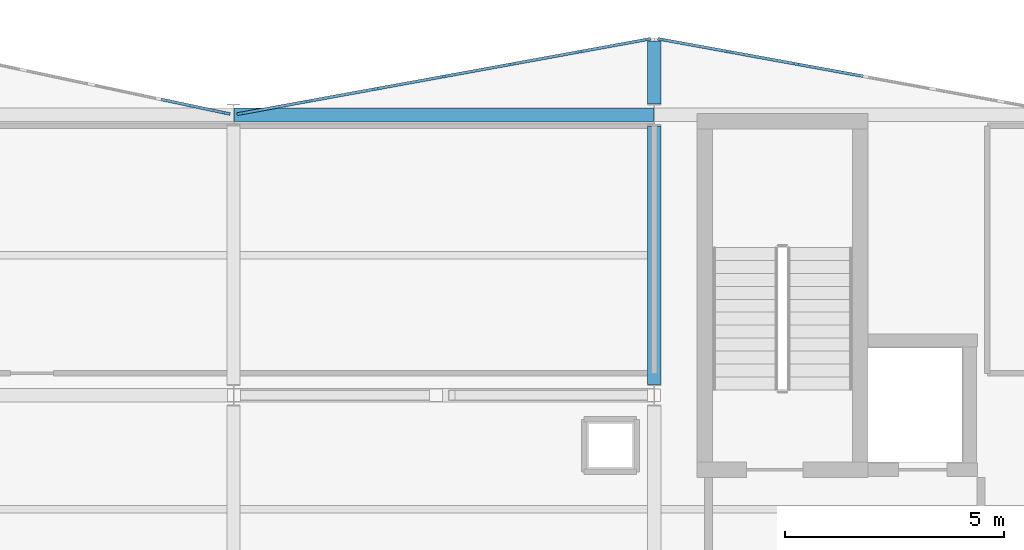
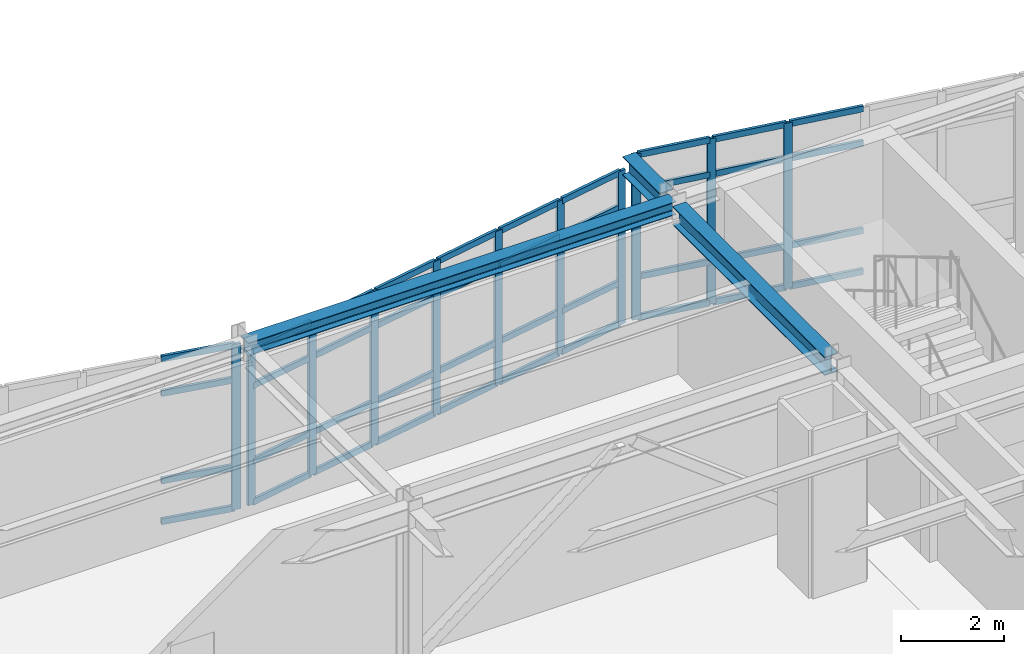
# One storey, part 38 of 88: 51 members, 3 beams, 3 elements without a shape of their own.
"""IFC4 building model written with IfcOpenShell, lengths in metres."""

from ifc_helpers import new_model, si_unit, direction, frame, origin, origin_2d, place, context, subcontext, project, spatial, rectangle, i_section, extrude, material, layer, layer_set, material_profile, profile_set, type_object, element, aggregate, save


model = new_model("IFC4")

# Units and contexts
model_context = context("Model", 3, precision=1e-05, world=origin(), true_north=direction((0.0, 1.0)))
body_context = subcontext(model_context, "Body", "Model", "MODEL_VIEW")
ifc_project = project(units=[si_unit("LENGTHUNIT", "METRE"), si_unit("AREAUNIT", "SQUARE_METRE"), si_unit("VOLUMEUNIT", "CUBIC_METRE"), si_unit("PLANEANGLEUNIT", "RADIAN"), si_unit("MASSUNIT", "GRAM", prefix="KILO")], contexts=[model_context])

# Site, building, storey
site_placement = place(None, origin())
site = spatial("IfcSite", under=ifc_project, at=site_placement, CompositionType="ELEMENT")
building_placement = place(site_placement, origin())
building = spatial("IfcBuilding", under=site, at=building_placement, Name="Nordkorset Police Headquarters", CompositionType="ELEMENT")
storey_placement = place(building_placement, frame((0.0, 0.0, 9.449951171875)))
storey = spatial("IfcBuildingStorey", under=building, at=storey_placement, Name="L02", CompositionType="ELEMENT", Elevation=9.449951171875)

# Curtain wall, member
ifc_material_1 = material(Name="Aluminium alloy AW-6060", Category="aluminium")
ifc_layer_1 = layer(ifc_material_1, 0.179931640625, Name="Aluminium alloy AW-6060")
ifc_layer_set_1 = layer_set([ifc_layer_1], Name="Aluminium alloy AW-6060")
curtain_wall_type_1 = type_object("IfcCurtainWallType", Name="CW_Unit_954x392", PredefinedType="USERDEFINED", material=ifc_layer_set_1)
curtain_wall_1_placement = place(storey_placement, origin())
curtain_wall_1 = element("IfcCurtainWall", 1, at=curtain_wall_1_placement, inside=storey, type_object=curtain_wall_type_1, Name="Unitised Curtain Wall L02 V2N-1", ObjectType="UNITISED CURTAIN WALL", PredefinedType="USERDEFINED")
ifc_material_2 = material(Name="Aluminium alloy AW-6060", Category="aluminium")
ifc_material_profile_1 = material_profile(ifc_material_2, rectangle(XDim=0.06494140625, YDim=0.179931640625, at=origin_2d()), Name="ALU MULL 65x180")
ifc_profile_set_1 = profile_set([ifc_material_profile_1], Name="Aluminium alloy AW-6060")
member_type_1 = type_object("IfcMemberType", Name="CW_Mullion_65x180", PredefinedType="MULLION", material=ifc_profile_set_1)
member_1_placement = place(storey_placement, frame((47.831298828125, 116.8359375, 0.0), z_axis=(0.0, 0.0, 1.0), x_axis=(0.208832534289, 0.977951416289, 0.0)))
member_1 = element("IfcMember", 2, at=member_1_placement, type_object=member_type_1, Name="CW-20 mullion 7", PredefinedType="MULLION", context=body_context, shape_type="SweptSolid", body=[
    extrude(rectangle(XDim=0.06494140625, YDim=0.179931640625, at=origin_2d()), origin(), (0.0, 0.0, 1.0), 3.920166015625),
])

# Curtain wall, members
ifc_material_3 = material(Name="Aluminium alloy AW-6060", Category="aluminium")
ifc_layer_2 = layer(ifc_material_3, 0.179931640625, Name="Aluminium alloy AW-6060")
ifc_layer_set_2 = layer_set([ifc_layer_2], Name="Aluminium alloy AW-6060")
curtain_wall_type_2 = type_object("IfcCurtainWallType", Name="CW_Unit_948x364", PredefinedType="USERDEFINED", material=ifc_layer_set_2)
curtain_wall_2_placement = place(storey_placement, origin())
curtain_wall_2 = element("IfcCurtainWall", 3, at=curtain_wall_2_placement, inside=storey, type_object=curtain_wall_type_2, Name="Unitised Curtain Wall L02 V2N-2", ObjectType="UNITISED CURTAIN WALL", PredefinedType="USERDEFINED")
member_2_placement = place(storey_placement, frame((48.169677734375, 116.8310546875, 0.0), z_axis=(0.0, 0.0, 1.0), x_axis=(-0.179335715876, 0.983787934979, 0.0)))
member_2 = element("IfcMember", 4, at=member_2_placement, type_object=member_type_1, Name="CW-73 mullion 1", PredefinedType="MULLION", context=body_context, shape_type="SweptSolid", body=[
    extrude(rectangle(XDim=0.06494140625, YDim=0.179931640625, at=origin_2d()), origin(), (0.0, 0.0, 1.0), 3.64013671875),
])
member_3_placement = place(storey_placement, frame((49.69189453125, 117.1083984375, 0.0), z_axis=(0.0, 0.0, 1.0), x_axis=(-0.179335715876, 0.983787934979, 0.0)))
member_3 = element("IfcMember", 5, at=member_3_placement, type_object=member_type_1, Name="CW-73 mullion 2", PredefinedType="MULLION", context=body_context, shape_type="SweptSolid", body=[
    extrude(rectangle(XDim=0.06494140625, YDim=0.179931640625, at=origin_2d()), origin(), (0.0, 0.0, 1.0), 3.64013671875),
])
member_4_placement = place(storey_placement, frame((51.245849609375, 117.3916015625, 0.0), z_axis=(0.0, 0.0, 1.0), x_axis=(-0.179335715876, 0.983787934979, 0.0)))
member_4 = element("IfcMember", 6, at=member_4_placement, type_object=member_type_1, Name="CW-73 mullion 3", PredefinedType="MULLION", context=body_context, shape_type="SweptSolid", body=[
    extrude(rectangle(XDim=0.06494140625, YDim=0.179931640625, at=origin_2d()), origin(), (0.0, 0.0, 1.0), 3.64013671875),
])
member_5_placement = place(storey_placement, frame((52.800048828125, 117.675048828125, 0.0), z_axis=(0.0, 0.0, 1.0), x_axis=(-0.179335715876, 0.983787934979, 0.0)))
member_5 = element("IfcMember", 7, at=member_5_placement, type_object=member_type_1, Name="CW-73 mullion 4", PredefinedType="MULLION", context=body_context, shape_type="SweptSolid", body=[
    extrude(rectangle(XDim=0.06494140625, YDim=0.179931640625, at=origin_2d()), origin(), (0.0, 0.0, 1.0), 3.64013671875),
])
member_6_placement = place(storey_placement, frame((54.35400390625, 117.958251953125, 0.0), z_axis=(0.0, 0.0, 1.0), x_axis=(-0.179335715876, 0.983787934979, 0.0)))
member_6 = element("IfcMember", 8, at=member_6_placement, type_object=member_type_1, Name="CW-73 mullion 5", PredefinedType="MULLION", context=body_context, shape_type="SweptSolid", body=[
    extrude(rectangle(XDim=0.06494140625, YDim=0.179931640625, at=origin_2d()), origin(), (0.0, 0.0, 1.0), 3.64013671875),
])
member_7_placement = place(storey_placement, frame((55.908203125, 118.24169921875, 0.0), z_axis=(0.0, 0.0, 1.0), x_axis=(-0.179335715876, 0.983787934979, 0.0)))
member_7 = element("IfcMember", 9, at=member_7_placement, type_object=member_type_1, Name="CW-73 mullion 6", PredefinedType="MULLION", context=body_context, shape_type="SweptSolid", body=[
    extrude(rectangle(XDim=0.06494140625, YDim=0.179931640625, at=origin_2d()), origin(), (0.0, 0.0, 1.0), 3.64013671875),
])
member_8_placement = place(storey_placement, frame((57.43017578125, 118.51904296875, 0.0), z_axis=(0.0, 0.0, 1.0), x_axis=(-0.179335715876, 0.983787934979, 0.0)))
member_8 = element("IfcMember", 10, at=member_8_placement, type_object=member_type_1, Name="CW-73 mullion 7", PredefinedType="MULLION", context=body_context, shape_type="SweptSolid", body=[
    extrude(rectangle(XDim=0.06494140625, YDim=0.179931640625, at=origin_2d()), origin(), (0.0, 0.0, 1.0), 3.64013671875),
])

ifc_material_4 = material(Name="Aluminium alloy AW-6060", Category="aluminium")
ifc_layer_3 = layer(ifc_material_4, 0.179931640625, Name="Aluminium alloy AW-6060")
ifc_layer_set_3 = layer_set([ifc_layer_3], Name="Aluminium alloy AW-6060")
curtain_wall_type_3 = type_object("IfcCurtainWallType", Name="CW_Unit_948x392", PredefinedType="USERDEFINED", material=ifc_layer_set_3)
curtain_wall_3_placement = place(storey_placement, origin())
curtain_wall_3 = element("IfcCurtainWall", 11, at=curtain_wall_3_placement, inside=storey, type_object=curtain_wall_type_3, Name="Unitised Curtain Wall L02 V2N-3", ObjectType="UNITISED CURTAIN WALL", PredefinedType="USERDEFINED")
member_9_placement = place(storey_placement, frame((57.769775390625, 118.51904296875, 0.0), z_axis=(0.0, 0.0, 1.0), x_axis=(0.179335715876, 0.983787934979, 0.0)))
member_9 = element("IfcMember", 12, at=member_9_placement, type_object=member_type_1, Name="CW-65 mullion 1", PredefinedType="MULLION", context=body_context, shape_type="SweptSolid", body=[
    extrude(rectangle(XDim=0.06494140625, YDim=0.179931640625, at=origin_2d()), origin(), (0.0, 0.0, 1.0), 3.920166015625),
])
member_10_placement = place(storey_placement, frame((59.291748046875, 118.24169921875, 0.0), z_axis=(0.0, 0.0, 1.0), x_axis=(0.179335715876, 0.983787934979, 0.0)))
member_10 = element("IfcMember", 13, at=member_10_placement, type_object=member_type_1, Name="CW-65 mullion 2", PredefinedType="MULLION", context=body_context, shape_type="SweptSolid", body=[
    extrude(rectangle(XDim=0.06494140625, YDim=0.179931640625, at=origin_2d()), origin(), (0.0, 0.0, 1.0), 3.920166015625),
])
member_11_placement = place(storey_placement, frame((60.845947265625, 117.958251953125, 0.0), z_axis=(0.0, 0.0, 1.0), x_axis=(0.179335715876, 0.983787934979, 0.0)))
member_11 = element("IfcMember", 14, at=member_11_placement, type_object=member_type_1, Name="CW-65 mullion 3", PredefinedType="MULLION", context=body_context, shape_type="SweptSolid", body=[
    extrude(rectangle(XDim=0.06494140625, YDim=0.179931640625, at=origin_2d()), origin(), (0.0, 0.0, 1.0), 3.920166015625),
])

# Member
ifc_material_5 = material(Name="Aluminium alloy AW-6060", Category="aluminium")
ifc_material_profile_2 = material_profile(ifc_material_5, rectangle(XDim=0.06494140625, YDim=0.139892578125, at=origin_2d()), Name="ALU TRAN 65x140")
ifc_profile_set_2 = profile_set([ifc_material_profile_2], Name="Aluminium alloy AW-6060")
member_type_2 = type_object("IfcMemberType", Name="CW_Transom_65x140", PredefinedType="USERDEFINED", material=ifc_profile_set_2)
member_12_placement = place(storey_placement, frame((46.340576171875, 117.154296875, 0.032470703125), z_axis=(0.977955422008, -0.208813774846, 0.0), x_axis=(0.208813774846, 0.977955422008, 0.0)))
member_12 = element("IfcMember", 15, at=member_12_placement, type_object=member_type_2, Name="CW-20 transom 6.1", ObjectType="TRANSOM", PredefinedType="USERDEFINED", context=body_context, shape_type="SweptSolid", body=[
    extrude(rectangle(XDim=0.06494140625, YDim=0.139892578125, at=origin_2d()), origin(), (0.0, 0.0, 1.0), 1.491943359375),
])

member_13_placement = place(storey_placement, frame((46.340576171875, 117.154296875, 1.0), z_axis=(0.977955422008, -0.208813774846, 0.0), x_axis=(0.208813774846, 0.977955422008, 0.0)))
member_13 = element("IfcMember", 16, at=member_13_placement, type_object=member_type_2, Name="CW-20 transom 6.2", ObjectType="TRANSOM", PredefinedType="USERDEFINED", context=body_context, shape_type="SweptSolid", body=[
    extrude(rectangle(XDim=0.06494140625, YDim=0.139892578125, at=origin_2d()), origin(), (0.0, 0.0, 1.0), 1.491943359375),
])

member_14_placement = place(storey_placement, frame((46.340576171875, 117.154296875, 3.070068359375), z_axis=(0.977955422008, -0.208813774846, 0.0), x_axis=(0.208813774846, 0.977955422008, 0.0)))
member_14 = element("IfcMember", 17, at=member_14_placement, type_object=member_type_2, Name="CW-20 transom 6.3", ObjectType="TRANSOM", PredefinedType="USERDEFINED", context=body_context, shape_type="SweptSolid", body=[
    extrude(rectangle(XDim=0.06494140625, YDim=0.139892578125, at=origin_2d()), origin(), (0.0, 0.0, 1.0), 1.491943359375),
])

member_15_placement = place(storey_placement, frame((46.340576171875, 117.154296875, 3.887451171875), z_axis=(0.977955422008, -0.208813774846, 0.0), x_axis=(0.208813774846, 0.977955422008, 0.0)))
member_15 = element("IfcMember", 18, at=member_15_placement, type_object=member_type_2, Name="CW-20 transom 6.4", ObjectType="TRANSOM", PredefinedType="USERDEFINED", context=body_context, shape_type="SweptSolid", body=[
    extrude(rectangle(XDim=0.06494140625, YDim=0.139892578125, at=origin_2d()), origin(), (0.0, 0.0, 1.0), 1.491943359375),
])

aggregate(curtain_wall_1, [member_1, member_12, member_13, member_14, member_15])

member_16_placement = place(storey_placement, frame((48.20166015625, 116.836669921875, 0.032470703125), z_axis=(0.98378282961, 0.179363720316, 0.0), x_axis=(-0.179363720316, 0.98378282961, 0.0)))
member_16 = element("IfcMember", 19, at=member_16_placement, type_object=member_type_2, Name="CW-73 transom 1.1", ObjectType="TRANSOM", PredefinedType="USERDEFINED", context=body_context, shape_type="SweptSolid", body=[
    extrude(rectangle(XDim=0.06494140625, YDim=0.139892578125, at=origin_2d()), origin(), (0.0, 0.0, 1.0), 1.482177734375),
])

member_17_placement = place(storey_placement, frame((48.20166015625, 116.836669921875, 1.0), z_axis=(0.98378282961, 0.179363720316, 0.0), x_axis=(-0.179363720316, 0.98378282961, 0.0)))
member_17 = element("IfcMember", 20, at=member_17_placement, type_object=member_type_2, Name="CW-73 transom 1.2", ObjectType="TRANSOM", PredefinedType="USERDEFINED", context=body_context, shape_type="SweptSolid", body=[
    extrude(rectangle(XDim=0.06494140625, YDim=0.139892578125, at=origin_2d()), origin(), (0.0, 0.0, 1.0), 1.482177734375),
])

member_18_placement = place(storey_placement, frame((48.20166015625, 116.836669921875, 2.7900390625), z_axis=(0.98378282961, 0.179363720316, 0.0), x_axis=(-0.179363720316, 0.98378282961, 0.0)))
member_18 = element("IfcMember", 21, at=member_18_placement, type_object=member_type_2, Name="CW-73 transom 1.3", ObjectType="TRANSOM", PredefinedType="USERDEFINED", context=body_context, shape_type="SweptSolid", body=[
    extrude(rectangle(XDim=0.06494140625, YDim=0.139892578125, at=origin_2d()), origin(), (0.0, 0.0, 1.0), 1.482177734375),
])

member_19_placement = place(storey_placement, frame((48.20166015625, 116.836669921875, 3.607666015625), z_axis=(0.98378282961, 0.179363720316, 0.0), x_axis=(-0.179363720316, 0.98378282961, 0.0)))
member_19 = element("IfcMember", 22, at=member_19_placement, type_object=member_type_2, Name="CW-73 transom 1.4", ObjectType="TRANSOM", PredefinedType="USERDEFINED", context=body_context, shape_type="SweptSolid", body=[
    extrude(rectangle(XDim=0.06494140625, YDim=0.139892578125, at=origin_2d()), origin(), (0.0, 0.0, 1.0), 1.482177734375),
])

member_20_placement = place(storey_placement, frame((49.723876953125, 117.1142578125, 0.032470703125), z_axis=(0.983774342545, 0.179410264338, 0.0), x_axis=(-0.179410264338, 0.983774342545, 0.0)))
member_20 = element("IfcMember", 23, at=member_20_placement, type_object=member_type_2, Name="CW-73 transom 2.1", ObjectType="TRANSOM", PredefinedType="USERDEFINED", context=body_context, shape_type="SweptSolid", body=[
    extrude(rectangle(XDim=0.06494140625, YDim=0.139892578125, at=origin_2d()), origin(), (0.0, 0.0, 1.0), 1.5146484375),
])

member_21_placement = place(storey_placement, frame((49.723876953125, 117.1142578125, 1.0), z_axis=(0.983774342545, 0.179410264338, 0.0), x_axis=(-0.179410264338, 0.983774342545, 0.0)))
member_21 = element("IfcMember", 24, at=member_21_placement, type_object=member_type_2, Name="CW-73 transom 2.2", ObjectType="TRANSOM", PredefinedType="USERDEFINED", context=body_context, shape_type="SweptSolid", body=[
    extrude(rectangle(XDim=0.06494140625, YDim=0.139892578125, at=origin_2d()), origin(), (0.0, 0.0, 1.0), 1.5146484375),
])

member_22_placement = place(storey_placement, frame((49.723876953125, 117.1142578125, 2.7900390625), z_axis=(0.983774342545, 0.179410264338, 0.0), x_axis=(-0.179410264338, 0.983774342545, 0.0)))
member_22 = element("IfcMember", 25, at=member_22_placement, type_object=member_type_2, Name="CW-73 transom 2.3", ObjectType="TRANSOM", PredefinedType="USERDEFINED", context=body_context, shape_type="SweptSolid", body=[
    extrude(rectangle(XDim=0.06494140625, YDim=0.139892578125, at=origin_2d()), origin(), (0.0, 0.0, 1.0), 1.5146484375),
])

member_23_placement = place(storey_placement, frame((49.723876953125, 117.1142578125, 3.607666015625), z_axis=(0.983774342545, 0.179410264338, 0.0), x_axis=(-0.179410264338, 0.983774342545, 0.0)))
member_23 = element("IfcMember", 26, at=member_23_placement, type_object=member_type_2, Name="CW-73 transom 2.4", ObjectType="TRANSOM", PredefinedType="USERDEFINED", context=body_context, shape_type="SweptSolid", body=[
    extrude(rectangle(XDim=0.06494140625, YDim=0.139892578125, at=origin_2d()), origin(), (0.0, 0.0, 1.0), 1.5146484375),
])

member_24_placement = place(storey_placement, frame((51.27783203125, 117.3974609375, 0.032470703125), z_axis=(0.983779529869, 0.179381817946, 0.0), x_axis=(-0.179381817946, 0.983779529869, 0.0)))
member_24 = element("IfcMember", 27, at=member_24_placement, type_object=member_type_2, Name="CW-73 transom 3.1", ObjectType="TRANSOM", PredefinedType="USERDEFINED", context=body_context, shape_type="SweptSolid", body=[
    extrude(rectangle(XDim=0.06494140625, YDim=0.139892578125, at=origin_2d()), origin(), (0.0, 0.0, 1.0), 1.514892578125),
])

member_25_placement = place(storey_placement, frame((51.27783203125, 117.3974609375, 1.0), z_axis=(0.983779529869, 0.179381817946, 0.0), x_axis=(-0.179381817946, 0.983779529869, 0.0)))
member_25 = element("IfcMember", 28, at=member_25_placement, type_object=member_type_2, Name="CW-73 transom 3.2", ObjectType="TRANSOM", PredefinedType="USERDEFINED", context=body_context, shape_type="SweptSolid", body=[
    extrude(rectangle(XDim=0.06494140625, YDim=0.139892578125, at=origin_2d()), origin(), (0.0, 0.0, 1.0), 1.514892578125),
])

member_26_placement = place(storey_placement, frame((51.27783203125, 117.3974609375, 2.7900390625), z_axis=(0.983779529869, 0.179381817946, 0.0), x_axis=(-0.179381817946, 0.983779529869, 0.0)))
member_26 = element("IfcMember", 29, at=member_26_placement, type_object=member_type_2, Name="CW-73 transom 3.3", ObjectType="TRANSOM", PredefinedType="USERDEFINED", context=body_context, shape_type="SweptSolid", body=[
    extrude(rectangle(XDim=0.06494140625, YDim=0.139892578125, at=origin_2d()), origin(), (0.0, 0.0, 1.0), 1.514892578125),
])

member_27_placement = place(storey_placement, frame((51.27783203125, 117.3974609375, 3.607666015625), z_axis=(0.983779529869, 0.179381817946, 0.0), x_axis=(-0.179381817946, 0.983779529869, 0.0)))
member_27 = element("IfcMember", 30, at=member_27_placement, type_object=member_type_2, Name="CW-73 transom 3.4", ObjectType="TRANSOM", PredefinedType="USERDEFINED", context=body_context, shape_type="SweptSolid", body=[
    extrude(rectangle(XDim=0.06494140625, YDim=0.139892578125, at=origin_2d()), origin(), (0.0, 0.0, 1.0), 1.514892578125),
])

member_28_placement = place(storey_placement, frame((52.83203125, 117.680908203125, 0.032470703125), z_axis=(0.983802781825, 0.179254250924, 0.0), x_axis=(-0.179254250924, 0.983802781825, 0.0)))
member_28 = element("IfcMember", 31, at=member_28_placement, type_object=member_type_2, Name="CW-73 transom 4.1", ObjectType="TRANSOM", PredefinedType="USERDEFINED", context=body_context, shape_type="SweptSolid", body=[
    extrude(rectangle(XDim=0.06494140625, YDim=0.139892578125, at=origin_2d()), origin(), (0.0, 0.0, 1.0), 1.514404296875),
])

member_29_placement = place(storey_placement, frame((52.83203125, 117.680908203125, 1.0), z_axis=(0.983802781825, 0.179254250924, 0.0), x_axis=(-0.179254250924, 0.983802781825, 0.0)))
member_29 = element("IfcMember", 32, at=member_29_placement, type_object=member_type_2, Name="CW-73 transom 4.2", ObjectType="TRANSOM", PredefinedType="USERDEFINED", context=body_context, shape_type="SweptSolid", body=[
    extrude(rectangle(XDim=0.06494140625, YDim=0.139892578125, at=origin_2d()), origin(), (0.0, 0.0, 1.0), 1.514404296875),
])

member_30_placement = place(storey_placement, frame((52.83203125, 117.680908203125, 2.7900390625), z_axis=(0.983802781825, 0.179254250924, 0.0), x_axis=(-0.179254250924, 0.983802781825, 0.0)))
member_30 = element("IfcMember", 33, at=member_30_placement, type_object=member_type_2, Name="CW-73 transom 4.3", ObjectType="TRANSOM", PredefinedType="USERDEFINED", context=body_context, shape_type="SweptSolid", body=[
    extrude(rectangle(XDim=0.06494140625, YDim=0.139892578125, at=origin_2d()), origin(), (0.0, 0.0, 1.0), 1.514404296875),
])

member_31_placement = place(storey_placement, frame((52.83203125, 117.680908203125, 3.607666015625), z_axis=(0.983802781825, 0.179254250924, 0.0), x_axis=(-0.179254250924, 0.983802781825, 0.0)))
member_31 = element("IfcMember", 34, at=member_31_placement, type_object=member_type_2, Name="CW-73 transom 4.4", ObjectType="TRANSOM", PredefinedType="USERDEFINED", context=body_context, shape_type="SweptSolid", body=[
    extrude(rectangle(XDim=0.06494140625, YDim=0.139892578125, at=origin_2d()), origin(), (0.0, 0.0, 1.0), 1.514404296875),
])

member_32_placement = place(storey_placement, frame((54.385986328125, 117.964111328125, 0.032470703125), z_axis=(0.983779529869, 0.179381817946, 0.0), x_axis=(-0.179381817946, 0.983779529869, 0.0)))
member_32 = element("IfcMember", 35, at=member_32_placement, type_object=member_type_2, Name="CW-73 transom 5.1", ObjectType="TRANSOM", PredefinedType="USERDEFINED", context=body_context, shape_type="SweptSolid", body=[
    extrude(rectangle(XDim=0.06494140625, YDim=0.139892578125, at=origin_2d()), origin(), (0.0, 0.0, 1.0), 1.514892578125),
])

member_33_placement = place(storey_placement, frame((54.385986328125, 117.964111328125, 1.0), z_axis=(0.983779529869, 0.179381817946, 0.0), x_axis=(-0.179381817946, 0.983779529869, 0.0)))
member_33 = element("IfcMember", 36, at=member_33_placement, type_object=member_type_2, Name="CW-73 transom 5.2", ObjectType="TRANSOM", PredefinedType="USERDEFINED", context=body_context, shape_type="SweptSolid", body=[
    extrude(rectangle(XDim=0.06494140625, YDim=0.139892578125, at=origin_2d()), origin(), (0.0, 0.0, 1.0), 1.514892578125),
])

member_34_placement = place(storey_placement, frame((54.385986328125, 117.964111328125, 2.7900390625), z_axis=(0.983779529869, 0.179381817946, 0.0), x_axis=(-0.179381817946, 0.983779529869, 0.0)))
member_34 = element("IfcMember", 37, at=member_34_placement, type_object=member_type_2, Name="CW-73 transom 5.3", ObjectType="TRANSOM", PredefinedType="USERDEFINED", context=body_context, shape_type="SweptSolid", body=[
    extrude(rectangle(XDim=0.06494140625, YDim=0.139892578125, at=origin_2d()), origin(), (0.0, 0.0, 1.0), 1.514892578125),
])

member_35_placement = place(storey_placement, frame((54.385986328125, 117.964111328125, 3.607666015625), z_axis=(0.983779529869, 0.179381817946, 0.0), x_axis=(-0.179381817946, 0.983779529869, 0.0)))
member_35 = element("IfcMember", 38, at=member_35_placement, type_object=member_type_2, Name="CW-73 transom 5.4", ObjectType="TRANSOM", PredefinedType="USERDEFINED", context=body_context, shape_type="SweptSolid", body=[
    extrude(rectangle(XDim=0.06494140625, YDim=0.139892578125, at=origin_2d()), origin(), (0.0, 0.0, 1.0), 1.514892578125),
])

member_36_placement = place(storey_placement, frame((55.940185546875, 118.247314453125, 0.032470703125), z_axis=(0.98378282961, 0.179363720316, 0.0), x_axis=(-0.179363720316, 0.98378282961, 0.0)))
member_36 = element("IfcMember", 39, at=member_36_placement, type_object=member_type_2, Name="CW-73 transom 6.1", ObjectType="TRANSOM", PredefinedType="USERDEFINED", context=body_context, shape_type="SweptSolid", body=[
    extrude(rectangle(XDim=0.06494140625, YDim=0.139892578125, at=origin_2d()), origin(), (0.0, 0.0, 1.0), 1.482177734375),
])

member_37_placement = place(storey_placement, frame((55.940185546875, 118.247314453125, 1.0), z_axis=(0.98378282961, 0.179363720316, 0.0), x_axis=(-0.179363720316, 0.98378282961, 0.0)))
member_37 = element("IfcMember", 40, at=member_37_placement, type_object=member_type_2, Name="CW-73 transom 6.2", ObjectType="TRANSOM", PredefinedType="USERDEFINED", context=body_context, shape_type="SweptSolid", body=[
    extrude(rectangle(XDim=0.06494140625, YDim=0.139892578125, at=origin_2d()), origin(), (0.0, 0.0, 1.0), 1.482177734375),
])

member_38_placement = place(storey_placement, frame((55.940185546875, 118.247314453125, 2.7900390625), z_axis=(0.98378282961, 0.179363720316, 0.0), x_axis=(-0.179363720316, 0.98378282961, 0.0)))
member_38 = element("IfcMember", 41, at=member_38_placement, type_object=member_type_2, Name="CW-73 transom 6.3", ObjectType="TRANSOM", PredefinedType="USERDEFINED", context=body_context, shape_type="SweptSolid", body=[
    extrude(rectangle(XDim=0.06494140625, YDim=0.139892578125, at=origin_2d()), origin(), (0.0, 0.0, 1.0), 1.482177734375),
])

member_39_placement = place(storey_placement, frame((55.940185546875, 118.247314453125, 3.607666015625), z_axis=(0.98378282961, 0.179363720316, 0.0), x_axis=(-0.179363720316, 0.98378282961, 0.0)))
member_39 = element("IfcMember", 42, at=member_39_placement, type_object=member_type_2, Name="CW-73 transom 6.4", ObjectType="TRANSOM", PredefinedType="USERDEFINED", context=body_context, shape_type="SweptSolid", body=[
    extrude(rectangle(XDim=0.06494140625, YDim=0.139892578125, at=origin_2d()), origin(), (0.0, 0.0, 1.0), 1.482177734375),
])

aggregate(curtain_wall_2, [member_2, member_3, member_4, member_5, member_6, member_7, member_8, member_16, member_17, member_18, member_19, member_20, member_21, member_22, member_23, member_24, member_25, member_26, member_27, member_28, member_29, member_30, member_31, member_32, member_33, member_34, member_35, member_36, member_37, member_38, member_39])

member_40_placement = place(storey_placement, frame((57.8017578125, 118.51318359375, 0.032470703125), z_axis=(0.983777529541, -0.179392787955, 0.0), x_axis=(0.179392787955, 0.983777529541, 0.0)))
member_40 = element("IfcMember", 43, at=member_40_placement, type_object=member_type_2, Name="CW-65 transom 1.1", ObjectType="TRANSOM", PredefinedType="USERDEFINED", context=body_context, shape_type="SweptSolid", body=[
    extrude(rectangle(XDim=0.06494140625, YDim=0.139892578125, at=origin_2d()), origin(), (0.0, 0.0, 1.0), 1.48193359375),
])

member_41_placement = place(storey_placement, frame((57.8017578125, 118.51318359375, 1.0), z_axis=(0.983777529541, -0.179392787955, 0.0), x_axis=(0.179392787955, 0.983777529541, 0.0)))
member_41 = element("IfcMember", 44, at=member_41_placement, type_object=member_type_2, Name="CW-65 transom 1.2", ObjectType="TRANSOM", PredefinedType="USERDEFINED", context=body_context, shape_type="SweptSolid", body=[
    extrude(rectangle(XDim=0.06494140625, YDim=0.139892578125, at=origin_2d()), origin(), (0.0, 0.0, 1.0), 1.48193359375),
])

member_42_placement = place(storey_placement, frame((57.8017578125, 118.51318359375, 3.070068359375), z_axis=(0.983777529541, -0.179392787955, 0.0), x_axis=(0.179392787955, 0.983777529541, 0.0)))
member_42 = element("IfcMember", 45, at=member_42_placement, type_object=member_type_2, Name="CW-65 transom 1.3", ObjectType="TRANSOM", PredefinedType="USERDEFINED", context=body_context, shape_type="SweptSolid", body=[
    extrude(rectangle(XDim=0.06494140625, YDim=0.139892578125, at=origin_2d()), origin(), (0.0, 0.0, 1.0), 1.48193359375),
])

member_43_placement = place(storey_placement, frame((57.8017578125, 118.51318359375, 3.887451171875), z_axis=(0.983777529541, -0.179392787955, 0.0), x_axis=(0.179392787955, 0.983777529541, 0.0)))
member_43 = element("IfcMember", 46, at=member_43_placement, type_object=member_type_2, Name="CW-65 transom 1.4", ObjectType="TRANSOM", PredefinedType="USERDEFINED", context=body_context, shape_type="SweptSolid", body=[
    extrude(rectangle(XDim=0.06494140625, YDim=0.139892578125, at=origin_2d()), origin(), (0.0, 0.0, 1.0), 1.48193359375),
])

member_44_placement = place(storey_placement, frame((59.32373046875, 118.23583984375, 0.032470703125), z_axis=(0.983779529869, -0.179381817946, 0.0), x_axis=(0.179381817946, 0.983779529869, 0.0)))
member_44 = element("IfcMember", 47, at=member_44_placement, type_object=member_type_2, Name="CW-65 transom 2.1", ObjectType="TRANSOM", PredefinedType="USERDEFINED", context=body_context, shape_type="SweptSolid", body=[
    extrude(rectangle(XDim=0.06494140625, YDim=0.139892578125, at=origin_2d()), origin(), (0.0, 0.0, 1.0), 1.514892578125),
])

member_45_placement = place(storey_placement, frame((59.32373046875, 118.23583984375, 1.0), z_axis=(0.983779529869, -0.179381817946, 0.0), x_axis=(0.179381817946, 0.983779529869, 0.0)))
member_45 = element("IfcMember", 48, at=member_45_placement, type_object=member_type_2, Name="CW-65 transom 2.2", ObjectType="TRANSOM", PredefinedType="USERDEFINED", context=body_context, shape_type="SweptSolid", body=[
    extrude(rectangle(XDim=0.06494140625, YDim=0.139892578125, at=origin_2d()), origin(), (0.0, 0.0, 1.0), 1.514892578125),
])

member_46_placement = place(storey_placement, frame((59.32373046875, 118.23583984375, 3.070068359375), z_axis=(0.983779529869, -0.179381817946, 0.0), x_axis=(0.179381817946, 0.983779529869, 0.0)))
member_46 = element("IfcMember", 49, at=member_46_placement, type_object=member_type_2, Name="CW-65 transom 2.3", ObjectType="TRANSOM", PredefinedType="USERDEFINED", context=body_context, shape_type="SweptSolid", body=[
    extrude(rectangle(XDim=0.06494140625, YDim=0.139892578125, at=origin_2d()), origin(), (0.0, 0.0, 1.0), 1.514892578125),
])

member_47_placement = place(storey_placement, frame((59.32373046875, 118.23583984375, 3.887451171875), z_axis=(0.983779529869, -0.179381817946, 0.0), x_axis=(0.179381817946, 0.983779529869, 0.0)))
member_47 = element("IfcMember", 50, at=member_47_placement, type_object=member_type_2, Name="CW-65 transom 2.4", ObjectType="TRANSOM", PredefinedType="USERDEFINED", context=body_context, shape_type="SweptSolid", body=[
    extrude(rectangle(XDim=0.06494140625, YDim=0.139892578125, at=origin_2d()), origin(), (0.0, 0.0, 1.0), 1.514892578125),
])

member_48_placement = place(storey_placement, frame((60.8779296875, 117.952392578125, 0.032470703125), z_axis=(0.983802781825, -0.179254250924, 0.0), x_axis=(0.179254250924, 0.983802781825, 0.0)))
member_48 = element("IfcMember", 51, at=member_48_placement, type_object=member_type_2, Name="CW-65 transom 3.1", ObjectType="TRANSOM", PredefinedType="USERDEFINED", context=body_context, shape_type="SweptSolid", body=[
    extrude(rectangle(XDim=0.06494140625, YDim=0.139892578125, at=origin_2d()), origin(), (0.0, 0.0, 1.0), 1.514404296875),
])

member_49_placement = place(storey_placement, frame((60.8779296875, 117.952392578125, 1.0), z_axis=(0.983802781825, -0.179254250924, 0.0), x_axis=(0.179254250924, 0.983802781825, 0.0)))
member_49 = element("IfcMember", 52, at=member_49_placement, type_object=member_type_2, Name="CW-65 transom 3.2", ObjectType="TRANSOM", PredefinedType="USERDEFINED", context=body_context, shape_type="SweptSolid", body=[
    extrude(rectangle(XDim=0.06494140625, YDim=0.139892578125, at=origin_2d()), origin(), (0.0, 0.0, 1.0), 1.514404296875),
])

member_50_placement = place(storey_placement, frame((60.8779296875, 117.952392578125, 3.070068359375), z_axis=(0.983802781825, -0.179254250924, 0.0), x_axis=(0.179254250924, 0.983802781825, 0.0)))
member_50 = element("IfcMember", 53, at=member_50_placement, type_object=member_type_2, Name="CW-65 transom 3.3", ObjectType="TRANSOM", PredefinedType="USERDEFINED", context=body_context, shape_type="SweptSolid", body=[
    extrude(rectangle(XDim=0.06494140625, YDim=0.139892578125, at=origin_2d()), origin(), (0.0, 0.0, 1.0), 1.514404296875),
])

member_51_placement = place(storey_placement, frame((60.8779296875, 117.952392578125, 3.887451171875), z_axis=(0.983802781825, -0.179254250924, 0.0), x_axis=(0.179254250924, 0.983802781825, 0.0)))
member_51 = element("IfcMember", 54, at=member_51_placement, type_object=member_type_2, Name="CW-65 transom 3.4", ObjectType="TRANSOM", PredefinedType="USERDEFINED", context=body_context, shape_type="SweptSolid", body=[
    extrude(rectangle(XDim=0.06494140625, YDim=0.139892578125, at=origin_2d()), origin(), (0.0, 0.0, 1.0), 1.514404296875),
])

aggregate(curtain_wall_3, [member_9, member_10, member_11, member_40, member_41, member_42, member_43, member_44, member_45, member_46, member_47, member_48, member_49, member_50, member_51])

# Beams
ifc_material_6 = material(Name="Steel S355J2", Category="steel")
ifc_material_profile_3 = material_profile(ifc_material_6, i_section(OverallWidth=0.300048828125, OverallDepth=0.43994140625, WebThickness=0.011474609375, FlangeThickness=0.02099609375, FilletRadius=0.027099609375, at=origin_2d()), Name="HEA 450")
ifc_profile_set_3 = profile_set([ifc_material_profile_3], Name="Steel S355J2")
beam_type_1 = type_object("IfcBeamType", Name="Girder_HEA_450", PredefinedType="USERDEFINED", material=ifc_profile_set_3)
beam_1_placement = place(storey_placement, frame((57.60009765625, 110.64990234375, 3.75), z_axis=(0.0, 1.0, 0.0), x_axis=(-1.0, 0.0, 0.0)))
element("IfcBeam", 55, at=beam_1_placement, inside=storey, type_object=beam_type_1, Name="Girder V2 L02 GY-3-2", ObjectType="GIRDER", PredefinedType="USERDEFINED", context=body_context, shape_type="SweptSolid", body=[
    extrude(i_section(OverallWidth=0.300048828125, OverallDepth=0.43994140625, WebThickness=0.011474609375, FlangeThickness=0.02099609375, FilletRadius=0.027099609375, at=origin_2d()), origin(), (0.0, 0.0, 1.0), 5.900146484375),
])
beam_2_placement = place(storey_placement, frame((57.60009765625, 117.050048828125, 3.75), z_axis=(0.0, 1.0, 0.0), x_axis=(-1.0, 0.0, 0.0)))
element("IfcBeam", 56, at=beam_2_placement, inside=storey, type_object=beam_type_1, Name="Sawtooth Facade Outrigger V2 L02 57", ObjectType="GIRDER", PredefinedType="USERDEFINED", context=body_context, shape_type="SweptSolid", body=[
    extrude(i_section(OverallWidth=0.300048828125, OverallDepth=0.43994140625, WebThickness=0.011474609375, FlangeThickness=0.02099609375, FilletRadius=0.027099609375, at=origin_2d()), origin(), (0.0, 0.0, 1.0), 1.43994140625),
])
ifc_material_7 = material(Name="Steel S355J2", Category="steel")
ifc_material_profile_4 = material_profile(ifc_material_7, i_section(OverallWidth=0.300048828125, OverallDepth=0.31005859375, WebThickness=0.009033203125, FlangeThickness=0.015380859375, FilletRadius=0.027099609375, at=origin_2d()), Name="HEA 320")
ifc_profile_set_4 = profile_set([ifc_material_profile_4], Name="Steel S355J2")
beam_type_2 = type_object("IfcBeamType", Name="Spandrel_HEA_320", PredefinedType="SPANDREL", material=ifc_profile_set_4)
beam_3_placement = place(storey_placement, frame((48.00732421875, 116.800048828125, 3.81494140625), z_axis=(1.0, 0.0, 0.0), x_axis=(0.0, 1.0, 0.0)))
element("IfcBeam", 57, at=beam_3_placement, inside=storey, type_object=beam_type_2, Name="Girder V2 L02 GX-3-2", PredefinedType="SPANDREL", context=body_context, shape_type="SweptSolid", body=[
    extrude(i_section(OverallWidth=0.300048828125, OverallDepth=0.31005859375, WebThickness=0.009033203125, FlangeThickness=0.015380859375, FilletRadius=0.027099609375, at=origin_2d()), origin(), (0.0, 0.0, 1.0), 9.58544921875),
])

save(model, "model.ifc")
